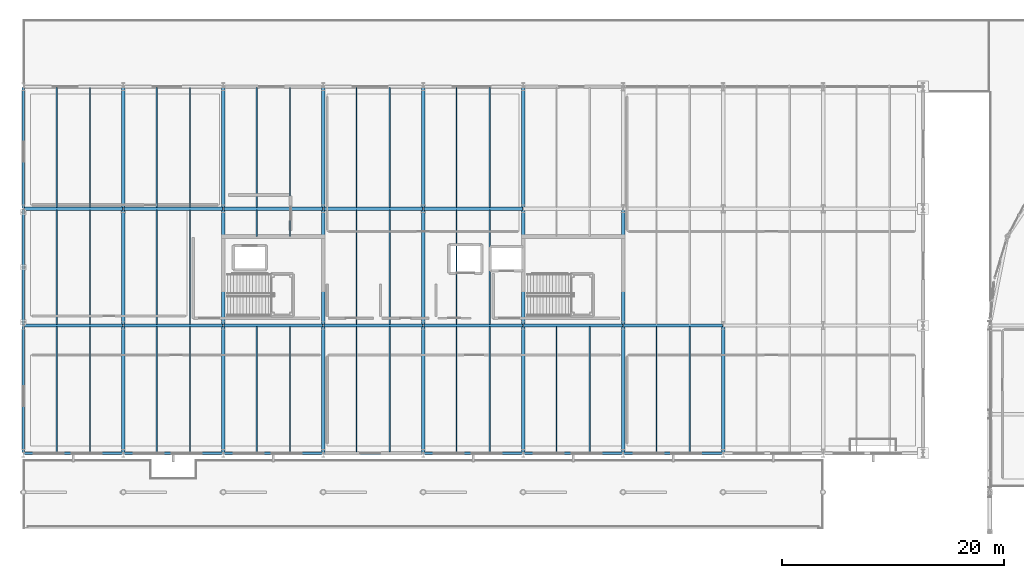
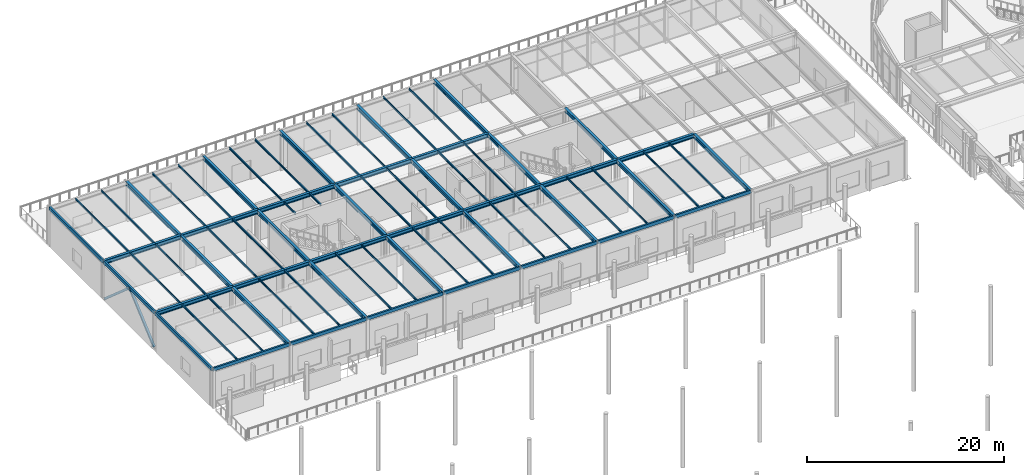
# One storey, part 36 of 143: 74 beams, 2 members.
"""IFC4 building model written with IfcOpenShell, lengths in metres."""

import ifcopenshell
import ifcopenshell.guid

model = None  # the IFC model being written
_history = None  # IfcOwnerHistory: only IFC2X3 demands one
_inside = {}  # id of a spatial element -> (the spatial element, [elements in it])
_under = {}  # id of a project, library or spatial element -> (it, [spatial elements below it])
_declared = {}  # id of a project -> (the project, [libraries it declares])
_typed = {}  # id of a type object -> (the type object, [elements of that type])
_made_of = {}  # id of a material, layer set ... -> (it, [elements and type objects made of it])


def new_model(schema):
    """Start an empty IFC model of exactly this schema.

    Asked for "IFC4X3", IfcOpenShell would pick the latest addendum, in which some entities
    have other attributes; the version numbers below select the first issue.
    IFC2X3 requires an IfcOwnerHistory on every rooted entity: one is made here for all.
    """
    global model, _history
    if schema == "IFC4X3":
        model = ifcopenshell.file(schema_version=(4, 3, 0, 0))
    else:
        model = ifcopenshell.file(schema=schema)
    _inside.clear()
    _under.clear()
    _declared.clear()
    _typed.clear()
    _made_of.clear()
    _history = None
    if model.schema == "IFC2X3":
        org = make("IfcOrganization", Name="unknown")
        user = make(
            "IfcPersonAndOrganization",
            ThePerson=make("IfcPerson", FamilyName="unknown"),
            TheOrganization=org,
        )
        app = make(
            "IfcApplication",
            ApplicationDeveloper=org,
            Version="unknown",
            ApplicationFullName="unknown",
            ApplicationIdentifier="unknown",
        )
        _history = make(
            "IfcOwnerHistory",
            OwningUser=user,
            OwningApplication=app,
            ChangeAction="ADDED",
            CreationDate=0,
        )
    return model


def make(cls, **values):
    """One entity of the class cls with the attributes given. An attribute that is None is left unset."""
    return model.create_entity(
        cls, **{name: value for name, value in values.items() if value is not None}
    )


def rooted(cls, **values):
    """An entity with a GlobalId (a new one), such as an element, a storey or a relation."""
    return make(cls, GlobalId=ifcopenshell.guid.new(), OwnerHistory=_history, **values)


def si_unit(unit_type, name, prefix=None):
    """IfcSIUnit, for example si_unit("LENGTHUNIT", "METRE", prefix="MILLI")."""
    return make("IfcSIUnit", UnitType=unit_type, Prefix=prefix, Name=name)


def assignment(units):
    """IfcUnitAssignment: the units of a project."""
    return None if units is None else make("IfcUnitAssignment", Units=units)


def point(xyz):
    """IfcCartesianPoint."""
    return None if xyz is None else make("IfcCartesianPoint", Coordinates=xyz)


def direction(xyz):
    """IfcDirection."""
    return None if xyz is None else make("IfcDirection", DirectionRatios=xyz)


def frame(location, z_axis=None, x_axis=None):
    """IfcAxis2Placement3D, a coordinate frame: its origin and axes. An axis left out is left unset."""
    return make(
        "IfcAxis2Placement3D",
        Location=point(location),
        Axis=direction(z_axis),
        RefDirection=direction(x_axis),
    )


def frame_2d(location, x_axis=None):
    """IfcAxis2Placement2D, a coordinate frame in the plane: its origin and x axis."""
    return make(
        "IfcAxis2Placement2D", Location=point(location), RefDirection=direction(x_axis)
    )


def origin():
    """The frame at (0, 0, 0) with its axes left unset."""
    return frame((0.0, 0.0, 0.0))


def origin_2d():
    """The frame at (0, 0) in the plane with its x axis left unset."""
    return frame_2d((0.0, 0.0))


def place(relative_to, where):
    """IfcLocalPlacement: puts the frame where relative to a parent placement (None: the world)."""
    return make(
        "IfcLocalPlacement", PlacementRelTo=relative_to, RelativePlacement=where
    )


def context(
    kind, dimensions, precision=None, world=None, true_north=None, identifier=None
):
    """IfcGeometricRepresentationContext, for example the 3D "Model" context."""
    return make(
        "IfcGeometricRepresentationContext",
        ContextIdentifier=identifier,
        ContextType=kind,
        CoordinateSpaceDimension=dimensions,
        Precision=precision,
        WorldCoordinateSystem=world,
        TrueNorth=true_north,
    )


def subcontext(parent, identifier, kind, view, scale=None):
    """IfcGeometricRepresentationSubContext, for example "Body" below "Model"."""
    return make(
        "IfcGeometricRepresentationSubContext",
        ContextIdentifier=identifier,
        ContextType=kind,
        ParentContext=parent,
        TargetScale=scale,
        TargetView=view,
    )


def project(units=None, contexts=None):
    """IfcProject with its units and contexts."""
    return rooted(
        "IfcProject",
        Name="project",
        RepresentationContexts=contexts,
        UnitsInContext=assignment(units),
    )


def spatial(cls, under=None, at=None, **own):
    """A site, building, storey or space (cls), placed at a placement, below another one or the project."""
    s = rooted(cls, ObjectPlacement=at, **own)
    if under is not None:
        _under.setdefault(under.id(), (under, []))[1].append(s)
    return s


def profile(cls, at=None, kind="AREA", **sizes):
    """A parametric profile (cls). Its sizes go by their IFC names, for example OverallWidth=200.0."""
    return make(cls, ProfileType=kind, Position=at, **sizes)


def hollow_rectangle(**sizes):
    """IfcRectangleHollowProfileDef."""
    return profile("IfcRectangleHollowProfileDef", **sizes)


def i_section(**sizes):
    """IfcIShapeProfileDef."""
    return profile("IfcIShapeProfileDef", **sizes)


def extrude(swept, where, along, depth):
    """IfcExtrudedAreaSolid: the profile swept, set in the frame where, extruded along a direction by depth."""
    return make(
        "IfcExtrudedAreaSolid",
        SweptArea=swept,
        Position=where,
        ExtrudedDirection=direction(along),
        Depth=depth,
    )


def shape(context_of_items, identifier, shape_type, items):
    """IfcShapeRepresentation: the items that make up one representation, for example the "Body"."""
    return make(
        "IfcShapeRepresentation",
        ContextOfItems=context_of_items,
        RepresentationIdentifier=identifier,
        RepresentationType=shape_type,
        Items=items,
    )


def material(Name=None, Category=None):
    """IfcMaterial."""
    return make("IfcMaterial", Name=Name, Category=Category)


def material_profile(
    of_material, cross_section, Name=None, Category=None, Priority=None
):
    """IfcMaterialProfile: a cross section and its material."""
    return make(
        "IfcMaterialProfile",
        Name=Name,
        Material=of_material,
        Profile=cross_section,
        Priority=Priority,
        Category=Category,
    )


def profile_set(profiles, Name=None, composite=None):
    """IfcMaterialProfileSet."""
    return make(
        "IfcMaterialProfileSet",
        Name=Name,
        MaterialProfiles=profiles,
        CompositeProfile=composite,
    )


def made_of(thing, what):
    """Note that an element or type object is made of a material, layer set ...; save() writes the relation."""
    if what is not None:
        _made_of.setdefault(what.id(), (what, []))[1].append(thing)
    return thing


def type_object(cls, material=None, **own):
    """A type object (cls), such as IfcWallType, which elements share."""
    return made_of(rooted(cls, **own), material)


def element(
    cls,
    number,
    at=None,
    inside=None,
    cuts=None,
    type_object=None,
    material=None,
    context=None,
    identifier="Body",
    shape_type=None,
    held_by="IfcProductDefinitionShape",
    body=None,
    shapes=None,
    **own,
):
    """One element of the class cls, such as IfcWall. Its Tag is "e" and its number.

    at: its placement. inside: the storey or other place that contains it. cuts: it is an
    opening in that element (IfcRelVoidsElement). A single representation is given by context,
    identifier, shape_type and body (its items); several are given by shapes. held_by: the class
    of the entity that holds the representations. save() writes the other relations.
    """
    e = rooted(cls, Tag="e%d" % number, ObjectPlacement=at, **own)
    if body is not None:
        shapes = [shape(context, identifier, shape_type, body)]
    if shapes is not None:
        e.Representation = make(held_by, Representations=shapes)
    if inside is not None:
        _inside.setdefault(inside.id(), (inside, []))[1].append(e)
    if cuts is not None:
        rooted(
            "IfcRelVoidsElement", RelatingBuildingElement=cuts, RelatedOpeningElement=e
        )
    if type_object is not None:
        _typed.setdefault(type_object.id(), (type_object, []))[1].append(e)
    return made_of(e, material)


def aggregate(whole, parts):
    """IfcRelAggregates: a whole, such as a stair, and the parts it consists of."""
    return rooted("IfcRelAggregates", RelatingObject=whole, RelatedObjects=parts)


def save(model, path):
    """Write the relations noted so far, then the file.

    IfcRelAggregates (storeys below a building ...), IfcRelContainedInSpatialStructure (elements
    in a storey), IfcRelDefinesByType, IfcRelAssociatesMaterial and IfcRelDeclares: one each for
    every whole, place, type object, material and project.
    """
    for whole, parts in _under.values():
        aggregate(whole, parts)
    for where, things in _inside.values():
        rooted(
            "IfcRelContainedInSpatialStructure",
            RelatedElements=things,
            RelatingStructure=where,
        )
    for kind, things in _typed.values():
        rooted("IfcRelDefinesByType", RelatedObjects=things, RelatingType=kind)
    for what, things in _made_of.values():
        rooted("IfcRelAssociatesMaterial", RelatedObjects=things, RelatingMaterial=what)
    for by, libraries in _declared.values():
        rooted("IfcRelDeclares", RelatingContext=by, RelatedDefinitions=libraries)
    model.write(path)


model = new_model("IFC4")

# Units and contexts
model_context = context("Model", 3, precision=1e-05, world=origin(), true_north=direction((0.0, 1.0)))
body_context = subcontext(model_context, "Body", "Model", "MODEL_VIEW")
ifc_project = project(units=[si_unit("LENGTHUNIT", "METRE"), si_unit("AREAUNIT", "SQUARE_METRE"), si_unit("VOLUMEUNIT", "CUBIC_METRE"), si_unit("PLANEANGLEUNIT", "RADIAN"), si_unit("MASSUNIT", "GRAM", prefix="KILO")], contexts=[model_context])

# Site, building, storey
site_placement = place(None, origin())
site = spatial("IfcSite", under=ifc_project, at=site_placement, CompositionType="ELEMENT")
building_placement = place(site_placement, origin())
building = spatial("IfcBuilding", under=site, at=building_placement, Name="Marlcrest Central Station", CompositionType="ELEMENT")
storey_placement = place(building_placement, frame((0.0, 0.0, 4.800048828125)))
storey = spatial("IfcBuildingStorey", under=building, at=storey_placement, Name="L01", CompositionType="ELEMENT", Elevation=4.800048828125)

# Members
ifc_material = material(Name="Steel S355", Category="steel")
ifc_material_profile_1 = material_profile(ifc_material, hollow_rectangle(XDim=0.25, YDim=0.25, WallThickness=0.012451171875, at=origin_2d()), Name="SHS 250x250x12.5")
ifc_profile_set_1 = profile_set([ifc_material_profile_1], Name="Steel S355")
member_type = type_object("IfcMemberType", Name="BF-02", PredefinedType="BRACE", material=ifc_profile_set_1)
for number, where, z_axis, x_axis, name in (
    (1, (0.0, 110.800048828125, 0.25), (0.0, 0.753416289705, 0.65754383459), (-1.0, 0.0, 0.0), "mem-BF-02-L01-00003"),
    (2, (0.0, 120.699951171875, 0.25), (0.0, -0.753416289705, 0.65754383459), (1.0, 0.0, 0.0), "mem-BF-02-L01-00004"),
):
    element("IfcMember", number, at=place(storey_placement, frame(where, z_axis=z_axis, x_axis=x_axis)), inside=storey, type_object=member_type, Name=name, PredefinedType="BRACE", context=body_context, shape_type="SweptSolid", body=[
        extrude(hollow_rectangle(XDim=0.25, YDim=0.25, WallThickness=0.012451171875, at=origin_2d()), origin(), (0.0, 0.0, 1.0), 6.570068359375),
    ])

# Beams
ifc_material_profile_2 = material_profile(ifc_material, i_section(OverallWidth=0.300048828125, OverallDepth=0.489990234375, WebThickness=0.011962890625, FlangeThickness=0.02294921875, FilletRadius=0.027099609375, at=origin_2d()), Name="HEA 500")
ifc_profile_set_2 = profile_set([ifc_material_profile_2], Name="Steel S355")
beam_type_1 = type_object("IfcBeamType", Name="BM-10", PredefinedType="BEAM", material=ifc_profile_set_2)
for number, where, z_axis, x_axis, name in (
    (3, (0.050048828125, 110.5, 4.574951171875), (1.0, 0.0, 0.0), (0.0, 1.0, 0.0), "bm-BM-10-L01-00237"),
    (4, (9.050048828125, 110.5, 4.574951171875), (1.0, 0.0, 0.0), (0.0, 1.0, 0.0), "bm-BM-10-L01-00238"),
    (5, (18.050048828125, 110.5, 4.574951171875), (1.0, 0.0, 0.0), (0.0, 1.0, 0.0), "bm-BM-10-L01-00239"),
    (6, (27.050048828125, 110.5, 4.574951171875), (1.0, 0.0, 0.0), (0.0, 1.0, 0.0), "bm-BM-10-L01-00240"),
    (7, (36.050048828125, 110.5, 4.574951171875), (1.0, 0.0, 0.0), (0.0, 1.0, 0.0), "bm-BM-10-L01-00241"),
    (8, (45.050048828125, 110.5, 4.574951171875), (1.0, 0.0, 0.0), (0.0, 1.0, 0.0), "bm-BM-10-L01-00242"),
    (9, (54.050048828125, 110.5, 4.574951171875), (1.0, 0.0, 0.0), (0.0, 1.0, 0.0), "bm-BM-10-L01-00243"),
    (10, (0.050048828125, 121.0, 4.574951171875), (1.0, 0.0, 0.0), (0.0, 1.0, 0.0), "bm-BM-10-L01-00246"),
    (11, (9.050048828125, 121.0, 4.574951171875), (1.0, 0.0, 0.0), (0.0, 1.0, 0.0), "bm-BM-10-L01-00247"),
    (12, (18.050048828125, 121.0, 4.574951171875), (1.0, 0.0, 0.0), (0.0, 1.0, 0.0), "bm-BM-10-L01-00248"),
    (13, (27.050048828125, 121.0, 4.574951171875), (1.0, 0.0, 0.0), (0.0, 1.0, 0.0), "bm-BM-10-L01-00249"),
    (14, (36.050048828125, 121.0, 4.574951171875), (1.0, 0.0, 0.0), (0.0, 1.0, 0.0), "bm-BM-10-L01-00250"),
):
    element("IfcBeam", number, at=place(storey_placement, frame(where, z_axis=z_axis, x_axis=x_axis)), inside=storey, type_object=beam_type_1, Name=name, PredefinedType="BEAM", context=body_context, shape_type="SweptSolid", body=[
        extrude(i_section(OverallWidth=0.300048828125, OverallDepth=0.489990234375, WebThickness=0.011962890625, FlangeThickness=0.02294921875, FilletRadius=0.027099609375, at=origin_2d()), origin(), (0.0, 0.0, 1.0), 8.89990234375),
    ])
beam_1_placement = place(storey_placement, frame((9.0, 99.050048828125, 4.574951171875), z_axis=(0.0, 1.0, 0.0), x_axis=(-1.0, 0.0, 0.0)))
element("IfcBeam", 15, at=beam_1_placement, inside=storey, type_object=beam_type_1, Name="bm-BM-10-L01-00267", PredefinedType="BEAM", context=body_context, shape_type="SweptSolid", body=[
    extrude(i_section(OverallWidth=0.300048828125, OverallDepth=0.489990234375, WebThickness=0.011962890625, FlangeThickness=0.02294921875, FilletRadius=0.027099609375, at=origin_2d()), origin(), (0.0, 0.0, 1.0), 11.39990234375),
])
beam_2_placement = place(storey_placement, frame((9.0, 110.550048828125, 4.574951171875), z_axis=(0.0, 1.0, 0.0), x_axis=(-1.0, 0.0, 0.0)))
element("IfcBeam", 16, at=beam_2_placement, inside=storey, type_object=beam_type_1, Name="bm-BM-10-L01-00268", PredefinedType="BEAM", context=body_context, shape_type="SweptSolid", body=[
    extrude(i_section(OverallWidth=0.300048828125, OverallDepth=0.489990234375, WebThickness=0.011962890625, FlangeThickness=0.02294921875, FilletRadius=0.027099609375, at=origin_2d()), origin(), (0.0, 0.0, 1.0), 10.39990234375),
])
beam_3_placement = place(storey_placement, frame((9.0, 121.050048828125, 4.574951171875), z_axis=(0.0, 1.0, 0.0), x_axis=(-1.0, 0.0, 0.0)))
element("IfcBeam", 17, at=beam_3_placement, inside=storey, type_object=beam_type_1, Name="bm-BM-10-L01-00269", PredefinedType="BEAM", context=body_context, shape_type="SweptSolid", body=[
    extrude(i_section(OverallWidth=0.300048828125, OverallDepth=0.489990234375, WebThickness=0.011962890625, FlangeThickness=0.02294921875, FilletRadius=0.027099609375, at=origin_2d()), origin(), (0.0, 0.0, 1.0), 10.89990234375),
])
beam_4_placement = place(storey_placement, frame((18.0, 99.050048828125, 4.574951171875), z_axis=(0.0, 1.0, 0.0), x_axis=(-1.0, 0.0, 0.0)))
element("IfcBeam", 18, at=beam_4_placement, inside=storey, type_object=beam_type_1, Name="bm-BM-10-L01-00270", PredefinedType="BEAM", context=body_context, shape_type="SweptSolid", body=[
    extrude(i_section(OverallWidth=0.300048828125, OverallDepth=0.489990234375, WebThickness=0.011962890625, FlangeThickness=0.02294921875, FilletRadius=0.027099609375, at=origin_2d()), origin(), (0.0, 0.0, 1.0), 11.39990234375),
])
beam_5_placement = place(storey_placement, frame((18.0, 110.550048828125, 4.574951171875), z_axis=(0.0, 1.0, 0.0), x_axis=(-1.0, 0.0, 0.0)))
element("IfcBeam", 19, at=beam_5_placement, inside=storey, type_object=beam_type_1, Name="bm-BM-10-L01-00271", PredefinedType="BEAM", context=body_context, shape_type="SweptSolid", body=[
    extrude(i_section(OverallWidth=0.300048828125, OverallDepth=0.489990234375, WebThickness=0.011962890625, FlangeThickness=0.02294921875, FilletRadius=0.027099609375, at=origin_2d()), origin(), (0.0, 0.0, 1.0), 10.39990234375),
])
beam_6_placement = place(storey_placement, frame((18.0, 121.050048828125, 4.574951171875), z_axis=(0.0, 1.0, 0.0), x_axis=(-1.0, 0.0, 0.0)))
element("IfcBeam", 20, at=beam_6_placement, inside=storey, type_object=beam_type_1, Name="bm-BM-10-L01-00272", PredefinedType="BEAM", context=body_context, shape_type="SweptSolid", body=[
    extrude(i_section(OverallWidth=0.300048828125, OverallDepth=0.489990234375, WebThickness=0.011962890625, FlangeThickness=0.02294921875, FilletRadius=0.027099609375, at=origin_2d()), origin(), (0.0, 0.0, 1.0), 10.89990234375),
])
beam_7_placement = place(storey_placement, frame((27.0, 99.050048828125, 4.574951171875), z_axis=(0.0, 1.0, 0.0), x_axis=(-1.0, 0.0, 0.0)))
element("IfcBeam", 21, at=beam_7_placement, inside=storey, type_object=beam_type_1, Name="bm-BM-10-L01-00273", PredefinedType="BEAM", context=body_context, shape_type="SweptSolid", body=[
    extrude(i_section(OverallWidth=0.300048828125, OverallDepth=0.489990234375, WebThickness=0.011962890625, FlangeThickness=0.02294921875, FilletRadius=0.027099609375, at=origin_2d()), origin(), (0.0, 0.0, 1.0), 11.39990234375),
])
beam_8_placement = place(storey_placement, frame((27.0, 110.550048828125, 4.574951171875), z_axis=(0.0, 1.0, 0.0), x_axis=(-1.0, 0.0, 0.0)))
element("IfcBeam", 22, at=beam_8_placement, inside=storey, type_object=beam_type_1, Name="bm-BM-10-L01-00274", PredefinedType="BEAM", context=body_context, shape_type="SweptSolid", body=[
    extrude(i_section(OverallWidth=0.300048828125, OverallDepth=0.489990234375, WebThickness=0.011962890625, FlangeThickness=0.02294921875, FilletRadius=0.027099609375, at=origin_2d()), origin(), (0.0, 0.0, 1.0), 10.39990234375),
])
beam_9_placement = place(storey_placement, frame((27.0, 121.050048828125, 4.574951171875), z_axis=(0.0, 1.0, 0.0), x_axis=(-1.0, 0.0, 0.0)))
element("IfcBeam", 23, at=beam_9_placement, inside=storey, type_object=beam_type_1, Name="bm-BM-10-L01-00275", PredefinedType="BEAM", context=body_context, shape_type="SweptSolid", body=[
    extrude(i_section(OverallWidth=0.300048828125, OverallDepth=0.489990234375, WebThickness=0.011962890625, FlangeThickness=0.02294921875, FilletRadius=0.027099609375, at=origin_2d()), origin(), (0.0, 0.0, 1.0), 10.89990234375),
])
beam_10_placement = place(storey_placement, frame((36.0, 99.050048828125, 4.574951171875), z_axis=(0.0, 1.0, 0.0), x_axis=(-1.0, 0.0, 0.0)))
element("IfcBeam", 24, at=beam_10_placement, inside=storey, type_object=beam_type_1, Name="bm-BM-10-L01-00276", PredefinedType="BEAM", context=body_context, shape_type="SweptSolid", body=[
    extrude(i_section(OverallWidth=0.300048828125, OverallDepth=0.489990234375, WebThickness=0.011962890625, FlangeThickness=0.02294921875, FilletRadius=0.027099609375, at=origin_2d()), origin(), (0.0, 0.0, 1.0), 11.39990234375),
])
beam_11_placement = place(storey_placement, frame((36.0, 110.550048828125, 4.574951171875), z_axis=(0.0, 1.0, 0.0), x_axis=(-1.0, 0.0, 0.0)))
element("IfcBeam", 25, at=beam_11_placement, inside=storey, type_object=beam_type_1, Name="bm-BM-10-L01-00277", PredefinedType="BEAM", context=body_context, shape_type="SweptSolid", body=[
    extrude(i_section(OverallWidth=0.300048828125, OverallDepth=0.489990234375, WebThickness=0.011962890625, FlangeThickness=0.02294921875, FilletRadius=0.027099609375, at=origin_2d()), origin(), (0.0, 0.0, 1.0), 10.39990234375),
])
beam_12_placement = place(storey_placement, frame((36.0, 121.050048828125, 4.574951171875), z_axis=(0.0, 1.0, 0.0), x_axis=(-1.0, 0.0, 0.0)))
element("IfcBeam", 26, at=beam_12_placement, inside=storey, type_object=beam_type_1, Name="bm-BM-10-L01-00278", PredefinedType="BEAM", context=body_context, shape_type="SweptSolid", body=[
    extrude(i_section(OverallWidth=0.300048828125, OverallDepth=0.489990234375, WebThickness=0.011962890625, FlangeThickness=0.02294921875, FilletRadius=0.027099609375, at=origin_2d()), origin(), (0.0, 0.0, 1.0), 10.89990234375),
])
beam_13_placement = place(storey_placement, frame((45.0, 99.050048828125, 4.574951171875), z_axis=(0.0, 1.0, 0.0), x_axis=(-1.0, 0.0, 0.0)))
element("IfcBeam", 27, at=beam_13_placement, inside=storey, type_object=beam_type_1, Name="bm-BM-10-L01-00279", PredefinedType="BEAM", context=body_context, shape_type="SweptSolid", body=[
    extrude(i_section(OverallWidth=0.300048828125, OverallDepth=0.489990234375, WebThickness=0.011962890625, FlangeThickness=0.02294921875, FilletRadius=0.027099609375, at=origin_2d()), origin(), (0.0, 0.0, 1.0), 11.39990234375),
])
beam_14_placement = place(storey_placement, frame((45.0, 110.550048828125, 4.574951171875), z_axis=(0.0, 1.0, 0.0), x_axis=(-1.0, 0.0, 0.0)))
element("IfcBeam", 28, at=beam_14_placement, inside=storey, type_object=beam_type_1, Name="bm-BM-10-L01-00280", PredefinedType="BEAM", context=body_context, shape_type="SweptSolid", body=[
    extrude(i_section(OverallWidth=0.300048828125, OverallDepth=0.489990234375, WebThickness=0.011962890625, FlangeThickness=0.02294921875, FilletRadius=0.027099609375, at=origin_2d()), origin(), (0.0, 0.0, 1.0), 10.39990234375),
])
beam_15_placement = place(storey_placement, frame((45.0, 121.050048828125, 4.574951171875), z_axis=(0.0, 1.0, 0.0), x_axis=(-1.0, 0.0, 0.0)))
element("IfcBeam", 29, at=beam_15_placement, inside=storey, type_object=beam_type_1, Name="bm-BM-10-L01-00281", PredefinedType="BEAM", context=body_context, shape_type="SweptSolid", body=[
    extrude(i_section(OverallWidth=0.300048828125, OverallDepth=0.489990234375, WebThickness=0.011962890625, FlangeThickness=0.02294921875, FilletRadius=0.027099609375, at=origin_2d()), origin(), (0.0, 0.0, 1.0), 10.89990234375),
])
beam_16_placement = place(storey_placement, frame((54.0, 99.050048828125, 4.574951171875), z_axis=(0.0, 1.0, 0.0), x_axis=(-1.0, 0.0, 0.0)))
element("IfcBeam", 30, at=beam_16_placement, inside=storey, type_object=beam_type_1, Name="bm-BM-10-L01-00282", PredefinedType="BEAM", context=body_context, shape_type="SweptSolid", body=[
    extrude(i_section(OverallWidth=0.300048828125, OverallDepth=0.489990234375, WebThickness=0.011962890625, FlangeThickness=0.02294921875, FilletRadius=0.027099609375, at=origin_2d()), origin(), (0.0, 0.0, 1.0), 11.39990234375),
])
beam_17_placement = place(storey_placement, frame((54.0, 110.550048828125, 4.574951171875), z_axis=(0.0, 1.0, 0.0), x_axis=(-1.0, 0.0, 0.0)))
element("IfcBeam", 31, at=beam_17_placement, inside=storey, type_object=beam_type_1, Name="bm-BM-10-L01-00283", PredefinedType="BEAM", context=body_context, shape_type="SweptSolid", body=[
    extrude(i_section(OverallWidth=0.300048828125, OverallDepth=0.489990234375, WebThickness=0.011962890625, FlangeThickness=0.02294921875, FilletRadius=0.027099609375, at=origin_2d()), origin(), (0.0, 0.0, 1.0), 10.39990234375),
])
beam_18_placement = place(storey_placement, frame((63.0, 99.050048828125, 4.574951171875), z_axis=(0.0, 1.0, 0.0), x_axis=(-1.0, 0.0, 0.0)))
element("IfcBeam", 32, at=beam_18_placement, inside=storey, type_object=beam_type_1, Name="bm-BM-10-L01-00285", PredefinedType="BEAM", context=body_context, shape_type="SweptSolid", body=[
    extrude(i_section(OverallWidth=0.300048828125, OverallDepth=0.489990234375, WebThickness=0.011962890625, FlangeThickness=0.02294921875, FilletRadius=0.027099609375, at=origin_2d()), origin(), (0.0, 0.0, 1.0), 11.39990234375),
])
ifc_material_profile_3 = material_profile(ifc_material, i_section(OverallWidth=0.1201171875, OverallDepth=0.239990234375, WebThickness=0.006103515625, FlangeThickness=0.009765625, FilletRadius=0.014892578125, at=origin_2d()), Name="IPE 240")
ifc_profile_set_3 = profile_set([ifc_material_profile_3], Name="Steel S355")
beam_type_2 = type_object("IfcBeamType", Name="JS-03", PredefinedType="JOIST", material=ifc_profile_set_3)
beam_19_placement = place(storey_placement, frame((3.0, 99.094970703125, 4.699951171875), z_axis=(0.0, 1.0, 0.0), x_axis=(-1.0, 0.0, 0.0)))
element("IfcBeam", 33, at=beam_19_placement, inside=storey, type_object=beam_type_2, Name="bm-JS-03-L01-00294", PredefinedType="JOIST", context=body_context, shape_type="SweptSolid", body=[
    extrude(i_section(OverallWidth=0.1201171875, OverallDepth=0.239990234375, WebThickness=0.006103515625, FlangeThickness=0.009765625, FilletRadius=0.014892578125, at=origin_2d()), origin(), (0.0, 0.0, 1.0), 11.304931640625),
])
beam_20_placement = place(storey_placement, frame((3.0, 110.60009765625, 4.699951171875), z_axis=(0.0, 1.0, 0.0), x_axis=(-1.0, 0.0, 0.0)))
element("IfcBeam", 34, at=beam_20_placement, inside=storey, type_object=beam_type_2, Name="bm-JS-03-L01-00295", PredefinedType="JOIST", context=body_context, shape_type="SweptSolid", body=[
    extrude(i_section(OverallWidth=0.1201171875, OverallDepth=0.239990234375, WebThickness=0.006103515625, FlangeThickness=0.009765625, FilletRadius=0.014892578125, at=origin_2d()), origin(), (0.0, 0.0, 1.0), 10.2998046875),
])
beam_21_placement = place(storey_placement, frame((3.0, 121.10009765625, 4.699951171875), z_axis=(0.0, 1.0, 0.0), x_axis=(-1.0, 0.0, 0.0)))
element("IfcBeam", 35, at=beam_21_placement, inside=storey, type_object=beam_type_2, Name="bm-JS-03-L01-00296", PredefinedType="JOIST", context=body_context, shape_type="SweptSolid", body=[
    extrude(i_section(OverallWidth=0.1201171875, OverallDepth=0.239990234375, WebThickness=0.006103515625, FlangeThickness=0.009765625, FilletRadius=0.014892578125, at=origin_2d()), origin(), (0.0, 0.0, 1.0), 10.804931640625),
])
beam_22_placement = place(storey_placement, frame((6.0, 99.094970703125, 4.699951171875), z_axis=(0.0, 1.0, 0.0), x_axis=(-1.0, 0.0, 0.0)))
element("IfcBeam", 36, at=beam_22_placement, inside=storey, type_object=beam_type_2, Name="bm-JS-03-L01-00297", PredefinedType="JOIST", context=body_context, shape_type="SweptSolid", body=[
    extrude(i_section(OverallWidth=0.1201171875, OverallDepth=0.239990234375, WebThickness=0.006103515625, FlangeThickness=0.009765625, FilletRadius=0.014892578125, at=origin_2d()), origin(), (0.0, 0.0, 1.0), 11.304931640625),
])
beam_23_placement = place(storey_placement, frame((6.0, 110.60009765625, 4.699951171875), z_axis=(0.0, 1.0, 0.0), x_axis=(-1.0, 0.0, 0.0)))
element("IfcBeam", 37, at=beam_23_placement, inside=storey, type_object=beam_type_2, Name="bm-JS-03-L01-00298", PredefinedType="JOIST", context=body_context, shape_type="SweptSolid", body=[
    extrude(i_section(OverallWidth=0.1201171875, OverallDepth=0.239990234375, WebThickness=0.006103515625, FlangeThickness=0.009765625, FilletRadius=0.014892578125, at=origin_2d()), origin(), (0.0, 0.0, 1.0), 10.2998046875),
])
beam_24_placement = place(storey_placement, frame((6.0, 121.10009765625, 4.699951171875), z_axis=(0.0, 1.0, 0.0), x_axis=(-1.0, 0.0, 0.0)))
element("IfcBeam", 38, at=beam_24_placement, inside=storey, type_object=beam_type_2, Name="bm-JS-03-L01-00299", PredefinedType="JOIST", context=body_context, shape_type="SweptSolid", body=[
    extrude(i_section(OverallWidth=0.1201171875, OverallDepth=0.239990234375, WebThickness=0.006103515625, FlangeThickness=0.009765625, FilletRadius=0.014892578125, at=origin_2d()), origin(), (0.0, 0.0, 1.0), 10.804931640625),
])
beam_25_placement = place(storey_placement, frame((12.0, 99.094970703125, 4.699951171875), z_axis=(0.0, 1.0, 0.0), x_axis=(-1.0, 0.0, 0.0)))
element("IfcBeam", 39, at=beam_25_placement, inside=storey, type_object=beam_type_2, Name="bm-JS-03-L01-00300", PredefinedType="JOIST", context=body_context, shape_type="SweptSolid", body=[
    extrude(i_section(OverallWidth=0.1201171875, OverallDepth=0.239990234375, WebThickness=0.006103515625, FlangeThickness=0.009765625, FilletRadius=0.014892578125, at=origin_2d()), origin(), (0.0, 0.0, 1.0), 11.304931640625),
])
beam_26_placement = place(storey_placement, frame((12.0, 110.60009765625, 4.699951171875), z_axis=(0.0, 1.0, 0.0), x_axis=(-1.0, 0.0, 0.0)))
element("IfcBeam", 40, at=beam_26_placement, inside=storey, type_object=beam_type_2, Name="bm-JS-03-L01-00301", PredefinedType="JOIST", context=body_context, shape_type="SweptSolid", body=[
    extrude(i_section(OverallWidth=0.1201171875, OverallDepth=0.239990234375, WebThickness=0.006103515625, FlangeThickness=0.009765625, FilletRadius=0.014892578125, at=origin_2d()), origin(), (0.0, 0.0, 1.0), 10.2998046875),
])
beam_27_placement = place(storey_placement, frame((12.0, 121.10009765625, 4.699951171875), z_axis=(0.0, 1.0, 0.0), x_axis=(-1.0, 0.0, 0.0)))
element("IfcBeam", 41, at=beam_27_placement, inside=storey, type_object=beam_type_2, Name="bm-JS-03-L01-00302", PredefinedType="JOIST", context=body_context, shape_type="SweptSolid", body=[
    extrude(i_section(OverallWidth=0.1201171875, OverallDepth=0.239990234375, WebThickness=0.006103515625, FlangeThickness=0.009765625, FilletRadius=0.014892578125, at=origin_2d()), origin(), (0.0, 0.0, 1.0), 10.804931640625),
])
beam_28_placement = place(storey_placement, frame((15.0, 99.094970703125, 4.699951171875), z_axis=(0.0, 1.0, 0.0), x_axis=(-1.0, 0.0, 0.0)))
element("IfcBeam", 42, at=beam_28_placement, inside=storey, type_object=beam_type_2, Name="bm-JS-03-L01-00303", PredefinedType="JOIST", context=body_context, shape_type="SweptSolid", body=[
    extrude(i_section(OverallWidth=0.1201171875, OverallDepth=0.239990234375, WebThickness=0.006103515625, FlangeThickness=0.009765625, FilletRadius=0.014892578125, at=origin_2d()), origin(), (0.0, 0.0, 1.0), 11.304931640625),
])
beam_29_placement = place(storey_placement, frame((15.0, 110.60009765625, 4.699951171875), z_axis=(0.0, 1.0, 0.0), x_axis=(-1.0, 0.0, 0.0)))
element("IfcBeam", 43, at=beam_29_placement, inside=storey, type_object=beam_type_2, Name="bm-JS-03-L01-00304", PredefinedType="JOIST", context=body_context, shape_type="SweptSolid", body=[
    extrude(i_section(OverallWidth=0.1201171875, OverallDepth=0.239990234375, WebThickness=0.006103515625, FlangeThickness=0.009765625, FilletRadius=0.014892578125, at=origin_2d()), origin(), (0.0, 0.0, 1.0), 10.2998046875),
])
beam_30_placement = place(storey_placement, frame((15.0, 121.10009765625, 4.699951171875), z_axis=(0.0, 1.0, 0.0), x_axis=(-1.0, 0.0, 0.0)))
element("IfcBeam", 44, at=beam_30_placement, inside=storey, type_object=beam_type_2, Name="bm-JS-03-L01-00305", PredefinedType="JOIST", context=body_context, shape_type="SweptSolid", body=[
    extrude(i_section(OverallWidth=0.1201171875, OverallDepth=0.239990234375, WebThickness=0.006103515625, FlangeThickness=0.009765625, FilletRadius=0.014892578125, at=origin_2d()), origin(), (0.0, 0.0, 1.0), 10.804931640625),
])
beam_31_placement = place(storey_placement, frame((21.0, 99.094970703125, 4.699951171875), z_axis=(0.0, 1.0, 0.0), x_axis=(-1.0, 0.0, 0.0)))
element("IfcBeam", 45, at=beam_31_placement, inside=storey, type_object=beam_type_2, Name="bm-JS-03-L01-00306", PredefinedType="JOIST", context=body_context, shape_type="SweptSolid", body=[
    extrude(i_section(OverallWidth=0.1201171875, OverallDepth=0.239990234375, WebThickness=0.006103515625, FlangeThickness=0.009765625, FilletRadius=0.014892578125, at=origin_2d()), origin(), (0.0, 0.0, 1.0), 11.304931640625),
])
beam_32_placement = place(storey_placement, frame((21.0, 118.52001953125, 4.699951171875), z_axis=(0.0, 1.0, 0.0), x_axis=(-1.0, 0.0, 0.0)))
element("IfcBeam", 46, at=beam_32_placement, inside=storey, type_object=beam_type_2, Name="bm-JS-03-L01-00307", PredefinedType="JOIST", context=body_context, shape_type="SweptSolid", body=[
    extrude(i_section(OverallWidth=0.1201171875, OverallDepth=0.239990234375, WebThickness=0.006103515625, FlangeThickness=0.009765625, FilletRadius=0.014892578125, at=origin_2d()), origin(), (0.0, 0.0, 1.0), 2.3798828125),
])
beam_33_placement = place(storey_placement, frame((21.0, 121.10009765625, 4.699951171875), z_axis=(0.0, 1.0, 0.0), x_axis=(-1.0, 0.0, 0.0)))
element("IfcBeam", 47, at=beam_33_placement, inside=storey, type_object=beam_type_2, Name="bm-JS-03-L01-00308", PredefinedType="JOIST", context=body_context, shape_type="SweptSolid", body=[
    extrude(i_section(OverallWidth=0.1201171875, OverallDepth=0.239990234375, WebThickness=0.006103515625, FlangeThickness=0.009765625, FilletRadius=0.014892578125, at=origin_2d()), origin(), (0.0, 0.0, 1.0), 10.804931640625),
])
beam_34_placement = place(storey_placement, frame((24.0, 99.094970703125, 4.699951171875), z_axis=(0.0, 1.0, 0.0), x_axis=(-1.0, 0.0, 0.0)))
element("IfcBeam", 48, at=beam_34_placement, inside=storey, type_object=beam_type_2, Name="bm-JS-03-L01-00309", PredefinedType="JOIST", context=body_context, shape_type="SweptSolid", body=[
    extrude(i_section(OverallWidth=0.1201171875, OverallDepth=0.239990234375, WebThickness=0.006103515625, FlangeThickness=0.009765625, FilletRadius=0.014892578125, at=origin_2d()), origin(), (0.0, 0.0, 1.0), 11.304931640625),
])
beam_35_placement = place(storey_placement, frame((24.0, 118.52001953125, 4.699951171875), z_axis=(0.0, 1.0, 0.0), x_axis=(-1.0, 0.0, 0.0)))
element("IfcBeam", 49, at=beam_35_placement, inside=storey, type_object=beam_type_2, Name="bm-JS-03-L01-00310", PredefinedType="JOIST", context=body_context, shape_type="SweptSolid", body=[
    extrude(i_section(OverallWidth=0.1201171875, OverallDepth=0.239990234375, WebThickness=0.006103515625, FlangeThickness=0.009765625, FilletRadius=0.014892578125, at=origin_2d()), origin(), (0.0, 0.0, 1.0), 2.3798828125),
])
beam_36_placement = place(storey_placement, frame((24.0, 121.10009765625, 4.699951171875), z_axis=(0.0, 1.0, 0.0), x_axis=(-1.0, 0.0, 0.0)))
element("IfcBeam", 50, at=beam_36_placement, inside=storey, type_object=beam_type_2, Name="bm-JS-03-L01-00311", PredefinedType="JOIST", context=body_context, shape_type="SweptSolid", body=[
    extrude(i_section(OverallWidth=0.1201171875, OverallDepth=0.239990234375, WebThickness=0.006103515625, FlangeThickness=0.009765625, FilletRadius=0.014892578125, at=origin_2d()), origin(), (0.0, 0.0, 1.0), 10.804931640625),
])
beam_37_placement = place(storey_placement, frame((30.0, 99.094970703125, 4.699951171875), z_axis=(0.0, 1.0, 0.0), x_axis=(-1.0, 0.0, 0.0)))
element("IfcBeam", 51, at=beam_37_placement, inside=storey, type_object=beam_type_2, Name="bm-JS-03-L01-00312", PredefinedType="JOIST", context=body_context, shape_type="SweptSolid", body=[
    extrude(i_section(OverallWidth=0.1201171875, OverallDepth=0.239990234375, WebThickness=0.006103515625, FlangeThickness=0.009765625, FilletRadius=0.014892578125, at=origin_2d()), origin(), (0.0, 0.0, 1.0), 11.304931640625),
])
beam_38_placement = place(storey_placement, frame((30.0, 110.60009765625, 4.699951171875), z_axis=(0.0, 1.0, 0.0), x_axis=(-1.0, 0.0, 0.0)))
element("IfcBeam", 52, at=beam_38_placement, inside=storey, type_object=beam_type_2, Name="bm-JS-03-L01-00313", PredefinedType="JOIST", context=body_context, shape_type="SweptSolid", body=[
    extrude(i_section(OverallWidth=0.1201171875, OverallDepth=0.239990234375, WebThickness=0.006103515625, FlangeThickness=0.009765625, FilletRadius=0.014892578125, at=origin_2d()), origin(), (0.0, 0.0, 1.0), 10.2998046875),
])
beam_39_placement = place(storey_placement, frame((30.0, 121.10009765625, 4.699951171875), z_axis=(0.0, 1.0, 0.0), x_axis=(-1.0, 0.0, 0.0)))
element("IfcBeam", 53, at=beam_39_placement, inside=storey, type_object=beam_type_2, Name="bm-JS-03-L01-00314", PredefinedType="JOIST", context=body_context, shape_type="SweptSolid", body=[
    extrude(i_section(OverallWidth=0.1201171875, OverallDepth=0.239990234375, WebThickness=0.006103515625, FlangeThickness=0.009765625, FilletRadius=0.014892578125, at=origin_2d()), origin(), (0.0, 0.0, 1.0), 10.804931640625),
])
beam_40_placement = place(storey_placement, frame((33.0, 99.094970703125, 4.699951171875), z_axis=(0.0, 1.0, 0.0), x_axis=(-1.0, 0.0, 0.0)))
element("IfcBeam", 54, at=beam_40_placement, inside=storey, type_object=beam_type_2, Name="bm-JS-03-L01-00315", PredefinedType="JOIST", context=body_context, shape_type="SweptSolid", body=[
    extrude(i_section(OverallWidth=0.1201171875, OverallDepth=0.239990234375, WebThickness=0.006103515625, FlangeThickness=0.009765625, FilletRadius=0.014892578125, at=origin_2d()), origin(), (0.0, 0.0, 1.0), 11.304931640625),
])
beam_41_placement = place(storey_placement, frame((33.0, 110.60009765625, 4.699951171875), z_axis=(0.0, 1.0, 0.0), x_axis=(-1.0, 0.0, 0.0)))
element("IfcBeam", 55, at=beam_41_placement, inside=storey, type_object=beam_type_2, Name="bm-JS-03-L01-00316", PredefinedType="JOIST", context=body_context, shape_type="SweptSolid", body=[
    extrude(i_section(OverallWidth=0.1201171875, OverallDepth=0.239990234375, WebThickness=0.006103515625, FlangeThickness=0.009765625, FilletRadius=0.014892578125, at=origin_2d()), origin(), (0.0, 0.0, 1.0), 10.2998046875),
])
beam_42_placement = place(storey_placement, frame((33.0, 121.10009765625, 4.699951171875), z_axis=(0.0, 1.0, 0.0), x_axis=(-1.0, 0.0, 0.0)))
element("IfcBeam", 56, at=beam_42_placement, inside=storey, type_object=beam_type_2, Name="bm-JS-03-L01-00317", PredefinedType="JOIST", context=body_context, shape_type="SweptSolid", body=[
    extrude(i_section(OverallWidth=0.1201171875, OverallDepth=0.239990234375, WebThickness=0.006103515625, FlangeThickness=0.009765625, FilletRadius=0.014892578125, at=origin_2d()), origin(), (0.0, 0.0, 1.0), 10.804931640625),
])
beam_43_placement = place(storey_placement, frame((39.0, 99.094970703125, 4.699951171875), z_axis=(0.0, 1.0, 0.0), x_axis=(-1.0, 0.0, 0.0)))
element("IfcBeam", 57, at=beam_43_placement, inside=storey, type_object=beam_type_2, Name="bm-JS-03-L01-00318", PredefinedType="JOIST", context=body_context, shape_type="SweptSolid", body=[
    extrude(i_section(OverallWidth=0.1201171875, OverallDepth=0.239990234375, WebThickness=0.006103515625, FlangeThickness=0.009765625, FilletRadius=0.014892578125, at=origin_2d()), origin(), (0.0, 0.0, 1.0), 11.304931640625),
])
beam_44_placement = place(storey_placement, frame((39.0, 110.60009765625, 4.699951171875), z_axis=(0.0, 1.0, 0.0), x_axis=(-1.0, 0.0, 0.0)))
element("IfcBeam", 58, at=beam_44_placement, inside=storey, type_object=beam_type_2, Name="bm-JS-03-L01-00319", PredefinedType="JOIST", context=body_context, shape_type="SweptSolid", body=[
    extrude(i_section(OverallWidth=0.1201171875, OverallDepth=0.239990234375, WebThickness=0.006103515625, FlangeThickness=0.009765625, FilletRadius=0.014892578125, at=origin_2d()), origin(), (0.0, 0.0, 1.0), 10.2998046875),
])
beam_45_placement = place(storey_placement, frame((39.0, 121.10009765625, 4.699951171875), z_axis=(0.0, 1.0, 0.0), x_axis=(-1.0, 0.0, 0.0)))
element("IfcBeam", 59, at=beam_45_placement, inside=storey, type_object=beam_type_2, Name="bm-JS-03-L01-00320", PredefinedType="JOIST", context=body_context, shape_type="SweptSolid", body=[
    extrude(i_section(OverallWidth=0.1201171875, OverallDepth=0.239990234375, WebThickness=0.006103515625, FlangeThickness=0.009765625, FilletRadius=0.014892578125, at=origin_2d()), origin(), (0.0, 0.0, 1.0), 10.804931640625),
])
beam_46_placement = place(storey_placement, frame((42.0, 99.094970703125, 4.699951171875), z_axis=(0.0, 1.0, 0.0), x_axis=(-1.0, 0.0, 0.0)))
element("IfcBeam", 60, at=beam_46_placement, inside=storey, type_object=beam_type_2, Name="bm-JS-03-L01-00321", PredefinedType="JOIST", context=body_context, shape_type="SweptSolid", body=[
    extrude(i_section(OverallWidth=0.1201171875, OverallDepth=0.239990234375, WebThickness=0.006103515625, FlangeThickness=0.009765625, FilletRadius=0.014892578125, at=origin_2d()), origin(), (0.0, 0.0, 1.0), 11.304931640625),
])
beam_47_placement = place(storey_placement, frame((42.0, 110.60009765625, 4.699951171875), z_axis=(0.0, 1.0, 0.0), x_axis=(-1.0, 0.0, 0.0)))
element("IfcBeam", 61, at=beam_47_placement, inside=storey, type_object=beam_type_2, Name="bm-JS-03-L01-00322", PredefinedType="JOIST", context=body_context, shape_type="SweptSolid", body=[
    extrude(i_section(OverallWidth=0.1201171875, OverallDepth=0.239990234375, WebThickness=0.006103515625, FlangeThickness=0.009765625, FilletRadius=0.014892578125, at=origin_2d()), origin(), (0.0, 0.0, 1.0), 10.2998046875),
])
beam_48_placement = place(storey_placement, frame((42.0, 121.10009765625, 4.699951171875), z_axis=(0.0, 1.0, 0.0), x_axis=(-1.0, 0.0, 0.0)))
element("IfcBeam", 62, at=beam_48_placement, inside=storey, type_object=beam_type_2, Name="bm-JS-03-L01-00323", PredefinedType="JOIST", context=body_context, shape_type="SweptSolid", body=[
    extrude(i_section(OverallWidth=0.1201171875, OverallDepth=0.239990234375, WebThickness=0.006103515625, FlangeThickness=0.009765625, FilletRadius=0.014892578125, at=origin_2d()), origin(), (0.0, 0.0, 1.0), 10.804931640625),
])
for number, where, z_axis, x_axis, name in (
    (63, (48.0, 99.094970703125, 4.699951171875), (0.0, 1.0, 0.0), (-1.0, 0.0, 0.0), "bm-JS-03-L01-00324"),
    (64, (51.0, 99.094970703125, 4.699951171875), (0.0, 1.0, 0.0), (-1.0, 0.0, 0.0), "bm-JS-03-L01-00327"),
    (65, (57.0, 99.094970703125, 4.699951171875), (0.0, 1.0, 0.0), (-1.0, 0.0, 0.0), "bm-JS-03-L01-00330"),
    (66, (60.0, 99.094970703125, 4.699951171875), (0.0, 1.0, 0.0), (-1.0, 0.0, 0.0), "bm-JS-03-L01-00333"),
):
    element("IfcBeam", number, at=place(storey_placement, frame(where, z_axis=z_axis, x_axis=x_axis)), inside=storey, type_object=beam_type_2, Name=name, PredefinedType="JOIST", context=body_context, shape_type="SweptSolid", body=[
        extrude(i_section(OverallWidth=0.1201171875, OverallDepth=0.239990234375, WebThickness=0.006103515625, FlangeThickness=0.009765625, FilletRadius=0.014892578125, at=origin_2d()), origin(), (0.0, 0.0, 1.0), 11.304931640625),
    ])
ifc_material_profile_4 = material_profile(ifc_material, hollow_rectangle(XDim=0.199951171875, YDim=0.39990234375, WallThickness=0.01611328125, at=origin_2d()), Name="RHS 400x200x16")
ifc_profile_set_4 = profile_set([ifc_material_profile_4], Name="Steel S355")
beam_type_3 = type_object("IfcBeamType", Name="SP-01", PredefinedType="SPANDREL", material=ifc_profile_set_4)
for number, where, z_axis, x_axis, name in (
    (67, (0.050048828125, 99.0, 4.619873046875), (1.0, 0.0, 0.0), (0.0, 1.0, 0.0), "bm-SP-01-L01-00228"),
    (68, (9.050048828125, 99.0, 4.619873046875), (1.0, 0.0, 0.0), (0.0, 1.0, 0.0), "bm-SP-01-L01-00229"),
    (69, (18.050048828125, 99.0, 4.619873046875), (1.0, 0.0, 0.0), (0.0, 1.0, 0.0), "bm-SP-01-L01-00230"),
    (70, (27.050048828125, 99.0, 4.619873046875), (1.0, 0.0, 0.0), (0.0, 1.0, 0.0), "bm-SP-01-L01-00231"),
    (71, (36.050048828125, 99.0, 4.619873046875), (1.0, 0.0, 0.0), (0.0, 1.0, 0.0), "bm-SP-01-L01-00232"),
    (72, (45.050048828125, 99.0, 4.619873046875), (1.0, 0.0, 0.0), (0.0, 1.0, 0.0), "bm-SP-01-L01-00233"),
    (73, (54.050048828125, 99.0, 4.619873046875), (1.0, 0.0, 0.0), (0.0, 1.0, 0.0), "bm-SP-01-L01-00234"),
):
    element("IfcBeam", number, at=place(storey_placement, frame(where, z_axis=z_axis, x_axis=x_axis)), inside=storey, type_object=beam_type_3, Name=name, PredefinedType="SPANDREL", context=body_context, shape_type="SweptSolid", body=[
        extrude(hollow_rectangle(XDim=0.199951171875, YDim=0.39990234375, WallThickness=0.01611328125, at=origin_2d()), origin(), (0.0, 0.0, 1.0), 8.89990234375),
    ])
beam_49_placement = place(storey_placement, frame((0.0, 99.050048828125, 4.619873046875), z_axis=(0.0, 1.0, 0.0), x_axis=(-1.0, 0.0, 0.0)))
element("IfcBeam", 74, at=beam_49_placement, inside=storey, type_object=beam_type_3, Name="bm-SP-01-L01-00264", PredefinedType="SPANDREL", context=body_context, shape_type="SweptSolid", body=[
    extrude(hollow_rectangle(XDim=0.199951171875, YDim=0.39990234375, WallThickness=0.01611328125, at=origin_2d()), origin(), (0.0, 0.0, 1.0), 11.39990234375),
])
beam_50_placement = place(storey_placement, frame((0.0, 110.550048828125, 4.619873046875), z_axis=(0.0, 1.0, 0.0), x_axis=(-1.0, 0.0, 0.0)))
element("IfcBeam", 75, at=beam_50_placement, inside=storey, type_object=beam_type_3, Name="bm-SP-01-L01-00265", PredefinedType="SPANDREL", context=body_context, shape_type="SweptSolid", body=[
    extrude(hollow_rectangle(XDim=0.199951171875, YDim=0.39990234375, WallThickness=0.01611328125, at=origin_2d()), origin(), (0.0, 0.0, 1.0), 10.39990234375),
])
beam_51_placement = place(storey_placement, frame((0.0, 121.050048828125, 4.619873046875), z_axis=(0.0, 1.0, 0.0), x_axis=(-1.0, 0.0, 0.0)))
element("IfcBeam", 76, at=beam_51_placement, inside=storey, type_object=beam_type_3, Name="bm-SP-01-L01-00266", PredefinedType="SPANDREL", context=body_context, shape_type="SweptSolid", body=[
    extrude(hollow_rectangle(XDim=0.199951171875, YDim=0.39990234375, WallThickness=0.01611328125, at=origin_2d()), origin(), (0.0, 0.0, 1.0), 10.89990234375),
])

save(model, "model.ifc")
